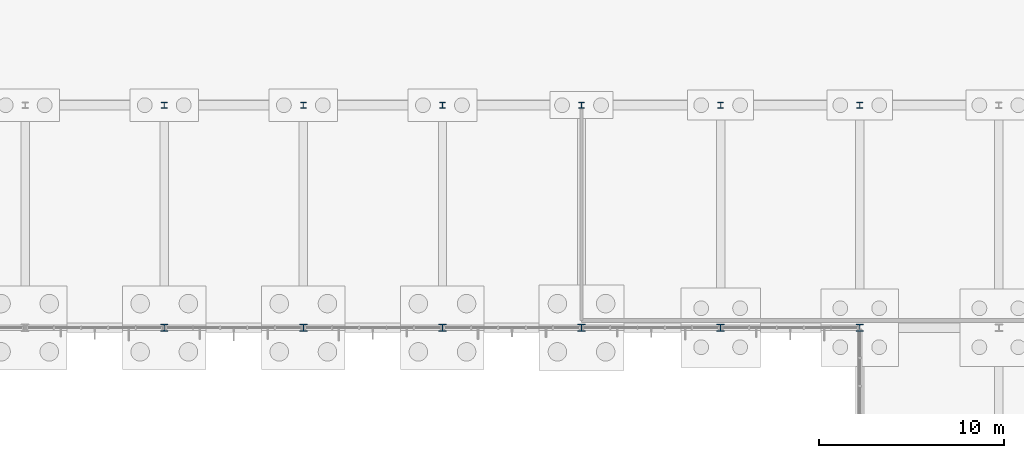
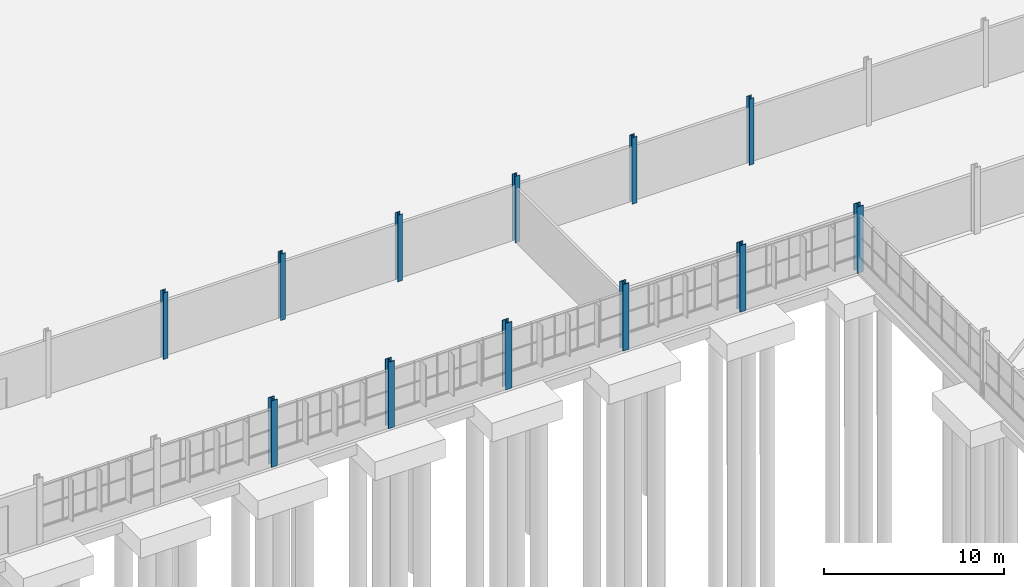
# One storey, part 18 of 136: 12 columns.
"""IFC4 building model written with IfcOpenShell, lengths in metres."""

from ifc_helpers import new_model, si_unit, direction, frame, origin, origin_2d, place, context, subcontext, project, spatial, i_section, extrude, material, material_profile, profile_set, type_object, element, save


model = new_model("IFC4")

# Units and contexts
model_context = context("Model", 3, precision=1e-05, world=origin(), true_north=direction((0.0, 1.0)))
body_context = subcontext(model_context, "Body", "Model", "MODEL_VIEW")
ifc_project = project(units=[si_unit("LENGTHUNIT", "METRE"), si_unit("AREAUNIT", "SQUARE_METRE"), si_unit("VOLUMEUNIT", "CUBIC_METRE"), si_unit("PLANEANGLEUNIT", "RADIAN"), si_unit("MASSUNIT", "GRAM", prefix="KILO")], contexts=[model_context])

# Site, building, storey
site_placement = place(None, origin())
site = spatial("IfcSite", under=ifc_project, at=site_placement, CompositionType="ELEMENT")
building_placement = place(site_placement, origin())
building = spatial("IfcBuilding", under=site, at=building_placement, Name="Solvenia Promenade Tram Depot", CompositionType="ELEMENT")
storey_placement = place(building_placement, origin())
storey = spatial("IfcBuildingStorey", under=building, at=storey_placement, Name="L00", CompositionType="ELEMENT", Elevation=0.0)

# Columns
ifc_material = material(Name="Structural steel ASTM A992 Gr. 50", Category="steel")
ifc_material_profile_1 = material_profile(ifc_material, i_section(OverallWidth=0.306884765625, OverallDepth=0.31396484375, WebThickness=0.011962890625, FlangeThickness=0.018798828125, FilletRadius=0.014892578125, at=origin_2d()), Name="W310x117", Category="steel")
ifc_profile_set_1 = profile_set([ifc_material_profile_1], Name="Structural steel ASTM A992 Gr. 50")
column_type_1 = type_object("IfcColumnType", Name="Col-W310x117", PredefinedType="COLUMN", material=ifc_profile_set_1)
for number, where, z_axis, x_axis, name in (
    (1, (67.5, 78.0, 0.0), (0.0, 0.0, 1.0), (1.0, 0.0, 0.0), "Steel Column COL-L00-157"),
    (2, (75.0, 78.0, 0.0), (0.0, 0.0, 1.0), (1.0, 0.0, 0.0), "Steel Column COL-L00-168"),
    (3, (82.5, 78.0, 0.0), (0.0, 0.0, 1.0), (1.0, 0.0, 0.0), "Steel Column COL-L00-179"),
    (4, (90.0, 78.0, 0.0), (0.0, 0.0, 1.0), (1.0, 0.0, 0.0), "Steel Column COL-L00-188"),
    (5, (97.5, 78.0, 0.0), (0.0, 0.0, 1.0), (1.0, 0.0, 0.0), "Steel Column COL-L00-193"),
    (6, (105.0, 78.0, 0.0), (0.0, 0.0, 1.0), (1.0, 0.0, 0.0), "Steel Column COL-L00-208"),
):
    element("IfcColumn", number, at=place(storey_placement, frame(where, z_axis=z_axis, x_axis=x_axis)), inside=storey, type_object=column_type_1, Name=name, PredefinedType="COLUMN", context=body_context, shape_type="SweptSolid", body=[
        extrude(i_section(OverallWidth=0.306884765625, OverallDepth=0.31396484375, WebThickness=0.011962890625, FlangeThickness=0.018798828125, FilletRadius=0.014892578125, at=origin_2d()), origin(), (0.0, 0.0, 1.0), 4.5),
    ])
ifc_material_profile_2 = material_profile(ifc_material, i_section(OverallWidth=0.39794921875, OverallDepth=0.386962890625, WebThickness=0.0244140625, FlangeThickness=0.03955078125, FilletRadius=0.01806640625, at=origin_2d()), Name="W360x262", Category="steel")
ifc_profile_set_2 = profile_set([ifc_material_profile_2], Name="Structural steel ASTM A992 Gr. 50")
column_type_2 = type_object("IfcColumnType", Name="Col-W360x262", PredefinedType="COLUMN", material=ifc_profile_set_2)
for number, where, z_axis, x_axis, name in (
    (7, (67.5, 66.0, 0.0), (0.0, 0.0, 1.0), (1.0, 0.0, 0.0), "Steel Column COL-L00-155"),
    (8, (75.0, 66.0, 0.0), (0.0, 0.0, 1.0), (1.0, 0.0, 0.0), "Steel Column COL-L00-166"),
    (9, (82.5, 66.0, 0.0), (0.0, 0.0, 1.0), (1.0, 0.0, 0.0), "Steel Column COL-L00-177"),
    (10, (90.0, 66.0, 0.0), (0.0, 0.0, 1.0), (1.0, 0.0, 0.0), "Steel Column COL-L00-186"),
    (11, (97.5, 66.0, 0.0), (0.0, 0.0, 1.0), (1.0, 0.0, 0.0), "Steel Column COL-L00-191"),
    (12, (105.0, 66.0, 0.0), (0.0, 0.0, 1.0), (1.0, 0.0, 0.0), "Steel Column COL-L00-205"),
):
    element("IfcColumn", number, at=place(storey_placement, frame(where, z_axis=z_axis, x_axis=x_axis)), inside=storey, type_object=column_type_2, Name=name, PredefinedType="COLUMN", context=body_context, shape_type="SweptSolid", body=[
        extrude(i_section(OverallWidth=0.39794921875, OverallDepth=0.386962890625, WebThickness=0.0244140625, FlangeThickness=0.03955078125, FilletRadius=0.01806640625, at=origin_2d()), origin(), (0.0, 0.0, 1.0), 4.5),
    ])

save(model, "model.ifc")
